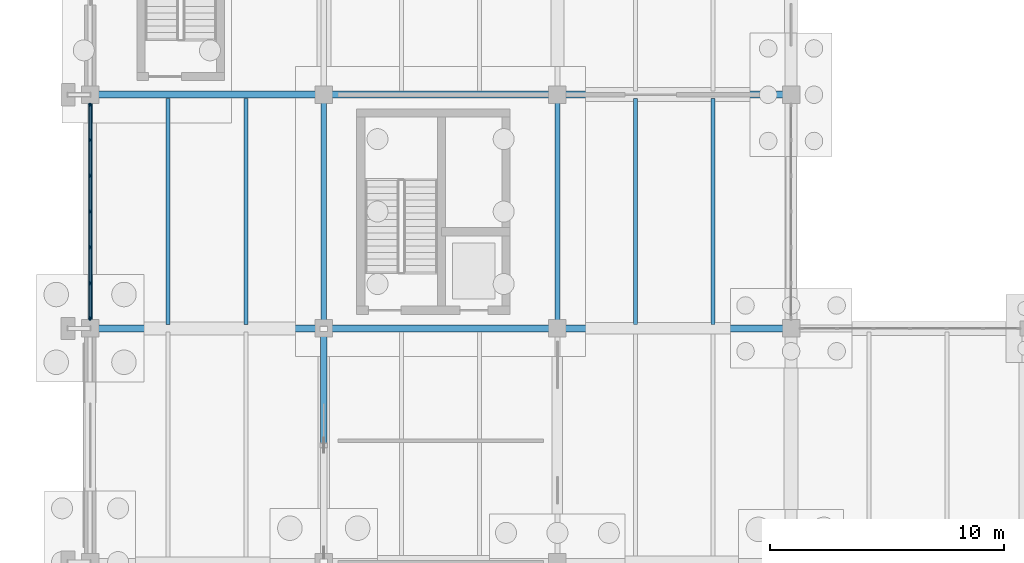
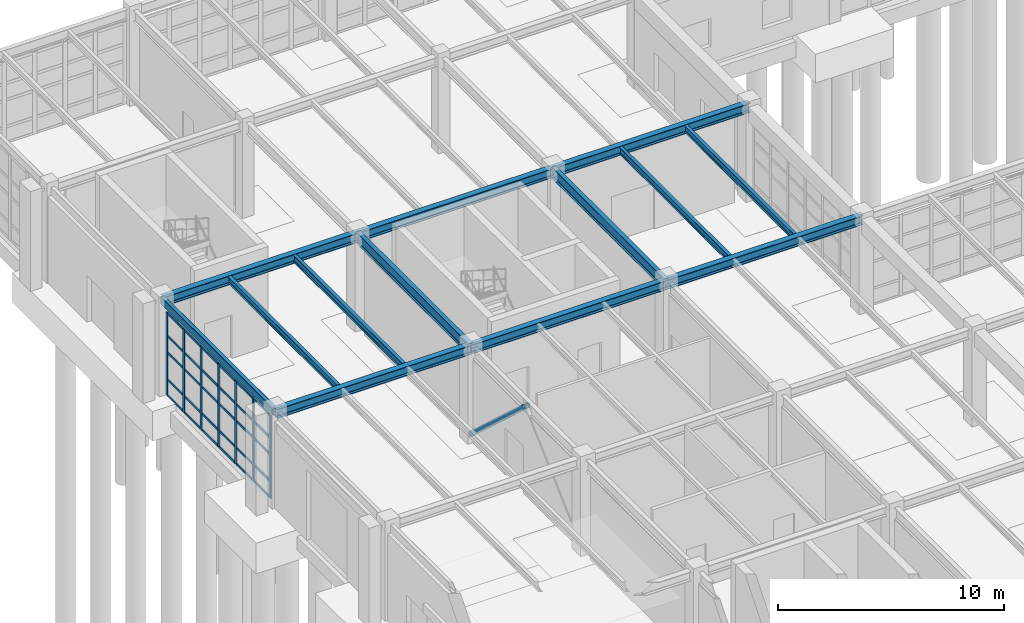
# One storey, part 37 of 145: 38 members, 13 beams, 1 element without a shape of its own.
"""IFC4 building model written with IfcOpenShell, lengths in metres."""

from ifc_helpers import new_model, si_unit, direction, frame, origin, origin_2d, place, context, subcontext, project, spatial, rectangle, hollow_rectangle, hollow_circle, i_section, extrude, material, layer, layer_set, material_profile, profile_set, type_object, element, aggregate, save


model = new_model("IFC4")

# Units and contexts
model_context = context("Model", 3, precision=1e-05, world=origin(), true_north=direction((0.0, 1.0)))
body_context = subcontext(model_context, "Body", "Model", "MODEL_VIEW")
ifc_project = project(units=[si_unit("LENGTHUNIT", "METRE"), si_unit("AREAUNIT", "SQUARE_METRE"), si_unit("VOLUMEUNIT", "CUBIC_METRE"), si_unit("PLANEANGLEUNIT", "RADIAN"), si_unit("MASSUNIT", "GRAM", prefix="KILO"), si_unit("THERMODYNAMICTEMPERATUREUNIT", "KELVIN"), si_unit("POWERUNIT", "WATT")], contexts=[model_context])

# Site, building, storey
site_placement = place(None, origin())
site = spatial("IfcSite", under=ifc_project, at=site_placement, CompositionType="ELEMENT")
building_placement = place(site_placement, origin())
building = spatial("IfcBuilding", under=site, at=building_placement, Name="Korenveer Ferry Terminal", CompositionType="ELEMENT")
storey_placement = place(building_placement, origin())
storey = spatial("IfcBuildingStorey", under=building, at=storey_placement, Name="L00", CompositionType="ELEMENT", Elevation=0.0)

# Curtain wall, members
ifc_material_1 = material(Name="Unitised bronze-and-glass curtain wall", Category="glass")
ifc_layer = layer(ifc_material_1, 0.159912109375)
ifc_layer_set = layer_set([ifc_layer], Name="Unitised bronze-and-glass curtain wall")
curtain_wall_type = type_object("IfcCurtainWallType", Name="ENV-CW-18", PredefinedType="USERDEFINED", material=ifc_layer_set)
curtain_wall_placement = place(storey_placement, frame((0.0, 50.405029296875, 0.0)))
curtain_wall = element("IfcCurtainWall", 1, at=curtain_wall_placement, inside=storey, type_object=curtain_wall_type, Name="Lancet curtain wall CWX-L00-X0-0-Y50-60", ObjectType="UNITISED CURTAIN WALL", PredefinedType="USERDEFINED")
ifc_material_2 = material(Name="Anodised bronze aluminium", Category="aluminium")
ifc_material_profile_1 = material_profile(ifc_material_2, rectangle(XDim=0.06005859375, YDim=0.159912109375, at=origin_2d()), Name="ALU 60x160")
ifc_profile_set_1 = profile_set([ifc_material_profile_1], Name="Anodised bronze aluminium")
member_type_1 = type_object("IfcMemberType", Name="ENV-CWM-60X160", PredefinedType="MULLION", material=ifc_profile_set_1)
member_1_placement = place(storey_placement, frame((0.0, 50.43505859375, 0.0), z_axis=(0.0, 0.0, 1.0), x_axis=(-1.0, 0.0, 0.0)))
member_1 = element("IfcMember", 2, at=member_1_placement, type_object=member_type_1, Name="CW-18 mullion 1", PredefinedType="MULLION", context=body_context, shape_type="SweptSolid", body=[
    extrude(rectangle(XDim=0.06005859375, YDim=0.159912109375, at=origin_2d()), origin(), (0.0, 0.0, 1.0), 4.489990234375),
])
member_2_placement = place(storey_placement, frame((0.0, 51.936767578125, 0.0), z_axis=(0.0, 0.0, 1.0), x_axis=(-1.0, 0.0, 0.0)))
member_2 = element("IfcMember", 3, at=member_2_placement, type_object=member_type_1, Name="CW-18 mullion 2", PredefinedType="MULLION", context=body_context, shape_type="SweptSolid", body=[
    extrude(rectangle(XDim=0.06005859375, YDim=0.159912109375, at=origin_2d()), origin(), (0.0, 0.0, 1.0), 4.489990234375),
])
member_3_placement = place(storey_placement, frame((0.0, 53.46826171875, 0.0), z_axis=(0.0, 0.0, 1.0), x_axis=(-1.0, 0.0, 0.0)))
member_3 = element("IfcMember", 4, at=member_3_placement, type_object=member_type_1, Name="CW-18 mullion 3", PredefinedType="MULLION", context=body_context, shape_type="SweptSolid", body=[
    extrude(rectangle(XDim=0.06005859375, YDim=0.159912109375, at=origin_2d()), origin(), (0.0, 0.0, 1.0), 4.489990234375),
])
member_4_placement = place(storey_placement, frame((0.0, 55.0, 0.0), z_axis=(0.0, 0.0, 1.0), x_axis=(-1.0, 0.0, 0.0)))
member_4 = element("IfcMember", 5, at=member_4_placement, type_object=member_type_1, Name="CW-18 mullion 4", PredefinedType="MULLION", context=body_context, shape_type="SweptSolid", body=[
    extrude(rectangle(XDim=0.06005859375, YDim=0.159912109375, at=origin_2d()), origin(), (0.0, 0.0, 1.0), 4.489990234375),
])
member_5_placement = place(storey_placement, frame((0.0, 56.53173828125, 0.0), z_axis=(0.0, 0.0, 1.0), x_axis=(-1.0, 0.0, 0.0)))
member_5 = element("IfcMember", 6, at=member_5_placement, type_object=member_type_1, Name="CW-18 mullion 5", PredefinedType="MULLION", context=body_context, shape_type="SweptSolid", body=[
    extrude(rectangle(XDim=0.06005859375, YDim=0.159912109375, at=origin_2d()), origin(), (0.0, 0.0, 1.0), 4.489990234375),
])
member_6_placement = place(storey_placement, frame((0.0, 58.063232421875, 0.0), z_axis=(0.0, 0.0, 1.0), x_axis=(-1.0, 0.0, 0.0)))
member_6 = element("IfcMember", 7, at=member_6_placement, type_object=member_type_1, Name="CW-18 mullion 6", PredefinedType="MULLION", context=body_context, shape_type="SweptSolid", body=[
    extrude(rectangle(XDim=0.06005859375, YDim=0.159912109375, at=origin_2d()), origin(), (0.0, 0.0, 1.0), 4.489990234375),
])
member_7_placement = place(storey_placement, frame((0.0, 59.56494140625, 0.0), z_axis=(0.0, 0.0, 1.0), x_axis=(-1.0, 0.0, 0.0)))
member_7 = element("IfcMember", 8, at=member_7_placement, type_object=member_type_1, Name="CW-18 mullion 7", PredefinedType="MULLION", context=body_context, shape_type="SweptSolid", body=[
    extrude(rectangle(XDim=0.06005859375, YDim=0.159912109375, at=origin_2d()), origin(), (0.0, 0.0, 1.0), 4.489990234375),
])
ifc_material_profile_2 = material_profile(ifc_material_2, rectangle(XDim=0.06005859375, YDim=0.1201171875, at=origin_2d()), Name="ALU 60x120")
ifc_profile_set_2 = profile_set([ifc_material_profile_2], Name="Anodised bronze aluminium")
member_type_2 = type_object("IfcMemberType", Name="ENV-CWT-60X120", PredefinedType="USERDEFINED", material=ifc_profile_set_2)
member_8_placement = place(storey_placement, frame((0.0, 50.465087890625, 0.030029296875), z_axis=(0.0, 1.0, 0.0), x_axis=(-1.0, 0.0, 0.0)))
member_8 = element("IfcMember", 9, at=member_8_placement, type_object=member_type_2, Name="CW-18 transom 1.1", ObjectType="TRANSOM", PredefinedType="USERDEFINED", context=body_context, shape_type="SweptSolid", body=[
    extrude(rectangle(XDim=0.06005859375, YDim=0.1201171875, at=origin_2d()), origin(), (0.0, 0.0, 1.0), 1.441650390625),
])
member_9_placement = place(storey_placement, frame((0.0, 50.465087890625, 0.89990234375), z_axis=(0.0, 1.0, 0.0), x_axis=(-1.0, 0.0, 0.0)))
member_9 = element("IfcMember", 10, at=member_9_placement, type_object=member_type_2, Name="CW-18 transom 1.2", ObjectType="TRANSOM", PredefinedType="USERDEFINED", context=body_context, shape_type="SweptSolid", body=[
    extrude(rectangle(XDim=0.06005859375, YDim=0.1201171875, at=origin_2d()), origin(), (0.0, 0.0, 1.0), 1.441650390625),
])
member_10_placement = place(storey_placement, frame((0.0, 50.465087890625, 2.35009765625), z_axis=(0.0, 1.0, 0.0), x_axis=(-1.0, 0.0, 0.0)))
member_10 = element("IfcMember", 11, at=member_10_placement, type_object=member_type_2, Name="CW-18 transom 1.3", ObjectType="TRANSOM", PredefinedType="USERDEFINED", context=body_context, shape_type="SweptSolid", body=[
    extrude(rectangle(XDim=0.06005859375, YDim=0.1201171875, at=origin_2d()), origin(), (0.0, 0.0, 1.0), 1.441650390625),
])
member_11_placement = place(storey_placement, frame((0.0, 50.465087890625, 3.25), z_axis=(0.0, 1.0, 0.0), x_axis=(-1.0, 0.0, 0.0)))
member_11 = element("IfcMember", 12, at=member_11_placement, type_object=member_type_2, Name="CW-18 transom 1.4", ObjectType="TRANSOM", PredefinedType="USERDEFINED", context=body_context, shape_type="SweptSolid", body=[
    extrude(rectangle(XDim=0.06005859375, YDim=0.1201171875, at=origin_2d()), origin(), (0.0, 0.0, 1.0), 1.441650390625),
])
member_12_placement = place(storey_placement, frame((0.0, 50.465087890625, 4.4599609375), z_axis=(0.0, 1.0, 0.0), x_axis=(-1.0, 0.0, 0.0)))
member_12 = element("IfcMember", 13, at=member_12_placement, type_object=member_type_2, Name="CW-18 transom 1.5", ObjectType="TRANSOM", PredefinedType="USERDEFINED", context=body_context, shape_type="SweptSolid", body=[
    extrude(rectangle(XDim=0.06005859375, YDim=0.1201171875, at=origin_2d()), origin(), (0.0, 0.0, 1.0), 1.441650390625),
])
member_13_placement = place(storey_placement, frame((0.0, 51.966552734375, 0.030029296875), z_axis=(0.0, 1.0, 0.0), x_axis=(-1.0, 0.0, 0.0)))
member_13 = element("IfcMember", 14, at=member_13_placement, type_object=member_type_2, Name="CW-18 transom 2.1", ObjectType="TRANSOM", PredefinedType="USERDEFINED", context=body_context, shape_type="SweptSolid", body=[
    extrude(rectangle(XDim=0.06005859375, YDim=0.1201171875, at=origin_2d()), origin(), (0.0, 0.0, 1.0), 1.4716796875),
])
member_14_placement = place(storey_placement, frame((0.0, 51.966552734375, 0.89990234375), z_axis=(0.0, 1.0, 0.0), x_axis=(-1.0, 0.0, 0.0)))
member_14 = element("IfcMember", 15, at=member_14_placement, type_object=member_type_2, Name="CW-18 transom 2.2", ObjectType="TRANSOM", PredefinedType="USERDEFINED", context=body_context, shape_type="SweptSolid", body=[
    extrude(rectangle(XDim=0.06005859375, YDim=0.1201171875, at=origin_2d()), origin(), (0.0, 0.0, 1.0), 1.4716796875),
])
member_15_placement = place(storey_placement, frame((0.0, 51.966552734375, 2.35009765625), z_axis=(0.0, 1.0, 0.0), x_axis=(-1.0, 0.0, 0.0)))
member_15 = element("IfcMember", 16, at=member_15_placement, type_object=member_type_2, Name="CW-18 transom 2.3", ObjectType="TRANSOM", PredefinedType="USERDEFINED", context=body_context, shape_type="SweptSolid", body=[
    extrude(rectangle(XDim=0.06005859375, YDim=0.1201171875, at=origin_2d()), origin(), (0.0, 0.0, 1.0), 1.4716796875),
])
member_16_placement = place(storey_placement, frame((0.0, 51.966552734375, 3.25), z_axis=(0.0, 1.0, 0.0), x_axis=(-1.0, 0.0, 0.0)))
member_16 = element("IfcMember", 17, at=member_16_placement, type_object=member_type_2, Name="CW-18 transom 2.4", ObjectType="TRANSOM", PredefinedType="USERDEFINED", context=body_context, shape_type="SweptSolid", body=[
    extrude(rectangle(XDim=0.06005859375, YDim=0.1201171875, at=origin_2d()), origin(), (0.0, 0.0, 1.0), 1.4716796875),
])
member_17_placement = place(storey_placement, frame((0.0, 51.966552734375, 4.4599609375), z_axis=(0.0, 1.0, 0.0), x_axis=(-1.0, 0.0, 0.0)))
member_17 = element("IfcMember", 18, at=member_17_placement, type_object=member_type_2, Name="CW-18 transom 2.5", ObjectType="TRANSOM", PredefinedType="USERDEFINED", context=body_context, shape_type="SweptSolid", body=[
    extrude(rectangle(XDim=0.06005859375, YDim=0.1201171875, at=origin_2d()), origin(), (0.0, 0.0, 1.0), 1.4716796875),
])
member_18_placement = place(storey_placement, frame((0.0, 53.498291015625, 0.030029296875), z_axis=(0.0, 1.0, 0.0), x_axis=(-1.0, 0.0, 0.0)))
member_18 = element("IfcMember", 19, at=member_18_placement, type_object=member_type_2, Name="CW-18 transom 3.1", ObjectType="TRANSOM", PredefinedType="USERDEFINED", context=body_context, shape_type="SweptSolid", body=[
    extrude(rectangle(XDim=0.06005859375, YDim=0.1201171875, at=origin_2d()), origin(), (0.0, 0.0, 1.0), 1.4716796875),
])
member_19_placement = place(storey_placement, frame((0.0, 53.498291015625, 0.89990234375), z_axis=(0.0, 1.0, 0.0), x_axis=(-1.0, 0.0, 0.0)))
member_19 = element("IfcMember", 20, at=member_19_placement, type_object=member_type_2, Name="CW-18 transom 3.2", ObjectType="TRANSOM", PredefinedType="USERDEFINED", context=body_context, shape_type="SweptSolid", body=[
    extrude(rectangle(XDim=0.06005859375, YDim=0.1201171875, at=origin_2d()), origin(), (0.0, 0.0, 1.0), 1.4716796875),
])
member_20_placement = place(storey_placement, frame((0.0, 53.498291015625, 2.35009765625), z_axis=(0.0, 1.0, 0.0), x_axis=(-1.0, 0.0, 0.0)))
member_20 = element("IfcMember", 21, at=member_20_placement, type_object=member_type_2, Name="CW-18 transom 3.3", ObjectType="TRANSOM", PredefinedType="USERDEFINED", context=body_context, shape_type="SweptSolid", body=[
    extrude(rectangle(XDim=0.06005859375, YDim=0.1201171875, at=origin_2d()), origin(), (0.0, 0.0, 1.0), 1.4716796875),
])
member_21_placement = place(storey_placement, frame((0.0, 53.498291015625, 3.25), z_axis=(0.0, 1.0, 0.0), x_axis=(-1.0, 0.0, 0.0)))
member_21 = element("IfcMember", 22, at=member_21_placement, type_object=member_type_2, Name="CW-18 transom 3.4", ObjectType="TRANSOM", PredefinedType="USERDEFINED", context=body_context, shape_type="SweptSolid", body=[
    extrude(rectangle(XDim=0.06005859375, YDim=0.1201171875, at=origin_2d()), origin(), (0.0, 0.0, 1.0), 1.4716796875),
])
member_22_placement = place(storey_placement, frame((0.0, 53.498291015625, 4.4599609375), z_axis=(0.0, 1.0, 0.0), x_axis=(-1.0, 0.0, 0.0)))
member_22 = element("IfcMember", 23, at=member_22_placement, type_object=member_type_2, Name="CW-18 transom 3.5", ObjectType="TRANSOM", PredefinedType="USERDEFINED", context=body_context, shape_type="SweptSolid", body=[
    extrude(rectangle(XDim=0.06005859375, YDim=0.1201171875, at=origin_2d()), origin(), (0.0, 0.0, 1.0), 1.4716796875),
])
member_23_placement = place(storey_placement, frame((0.0, 55.030029296875, 0.030029296875), z_axis=(0.0, 1.0, 0.0), x_axis=(-1.0, 0.0, 0.0)))
member_23 = element("IfcMember", 24, at=member_23_placement, type_object=member_type_2, Name="CW-18 transom 4.1", ObjectType="TRANSOM", PredefinedType="USERDEFINED", context=body_context, shape_type="SweptSolid", body=[
    extrude(rectangle(XDim=0.06005859375, YDim=0.1201171875, at=origin_2d()), origin(), (0.0, 0.0, 1.0), 1.4716796875),
])
member_24_placement = place(storey_placement, frame((0.0, 55.030029296875, 0.89990234375), z_axis=(0.0, 1.0, 0.0), x_axis=(-1.0, 0.0, 0.0)))
member_24 = element("IfcMember", 25, at=member_24_placement, type_object=member_type_2, Name="CW-18 transom 4.2", ObjectType="TRANSOM", PredefinedType="USERDEFINED", context=body_context, shape_type="SweptSolid", body=[
    extrude(rectangle(XDim=0.06005859375, YDim=0.1201171875, at=origin_2d()), origin(), (0.0, 0.0, 1.0), 1.4716796875),
])
member_25_placement = place(storey_placement, frame((0.0, 55.030029296875, 2.35009765625), z_axis=(0.0, 1.0, 0.0), x_axis=(-1.0, 0.0, 0.0)))
member_25 = element("IfcMember", 26, at=member_25_placement, type_object=member_type_2, Name="CW-18 transom 4.3", ObjectType="TRANSOM", PredefinedType="USERDEFINED", context=body_context, shape_type="SweptSolid", body=[
    extrude(rectangle(XDim=0.06005859375, YDim=0.1201171875, at=origin_2d()), origin(), (0.0, 0.0, 1.0), 1.4716796875),
])
member_26_placement = place(storey_placement, frame((0.0, 55.030029296875, 3.25), z_axis=(0.0, 1.0, 0.0), x_axis=(-1.0, 0.0, 0.0)))
member_26 = element("IfcMember", 27, at=member_26_placement, type_object=member_type_2, Name="CW-18 transom 4.4", ObjectType="TRANSOM", PredefinedType="USERDEFINED", context=body_context, shape_type="SweptSolid", body=[
    extrude(rectangle(XDim=0.06005859375, YDim=0.1201171875, at=origin_2d()), origin(), (0.0, 0.0, 1.0), 1.4716796875),
])
member_27_placement = place(storey_placement, frame((0.0, 55.030029296875, 4.4599609375), z_axis=(0.0, 1.0, 0.0), x_axis=(-1.0, 0.0, 0.0)))
member_27 = element("IfcMember", 28, at=member_27_placement, type_object=member_type_2, Name="CW-18 transom 4.5", ObjectType="TRANSOM", PredefinedType="USERDEFINED", context=body_context, shape_type="SweptSolid", body=[
    extrude(rectangle(XDim=0.06005859375, YDim=0.1201171875, at=origin_2d()), origin(), (0.0, 0.0, 1.0), 1.4716796875),
])
member_28_placement = place(storey_placement, frame((0.0, 56.561767578125, 0.030029296875), z_axis=(0.0, 1.0, 0.0), x_axis=(-1.0, 0.0, 0.0)))
member_28 = element("IfcMember", 29, at=member_28_placement, type_object=member_type_2, Name="CW-18 transom 5.1", ObjectType="TRANSOM", PredefinedType="USERDEFINED", context=body_context, shape_type="SweptSolid", body=[
    extrude(rectangle(XDim=0.06005859375, YDim=0.1201171875, at=origin_2d()), origin(), (0.0, 0.0, 1.0), 1.4716796875),
])
member_29_placement = place(storey_placement, frame((0.0, 56.561767578125, 0.89990234375), z_axis=(0.0, 1.0, 0.0), x_axis=(-1.0, 0.0, 0.0)))
member_29 = element("IfcMember", 30, at=member_29_placement, type_object=member_type_2, Name="CW-18 transom 5.2", ObjectType="TRANSOM", PredefinedType="USERDEFINED", context=body_context, shape_type="SweptSolid", body=[
    extrude(rectangle(XDim=0.06005859375, YDim=0.1201171875, at=origin_2d()), origin(), (0.0, 0.0, 1.0), 1.4716796875),
])
member_30_placement = place(storey_placement, frame((0.0, 56.561767578125, 2.35009765625), z_axis=(0.0, 1.0, 0.0), x_axis=(-1.0, 0.0, 0.0)))
member_30 = element("IfcMember", 31, at=member_30_placement, type_object=member_type_2, Name="CW-18 transom 5.3", ObjectType="TRANSOM", PredefinedType="USERDEFINED", context=body_context, shape_type="SweptSolid", body=[
    extrude(rectangle(XDim=0.06005859375, YDim=0.1201171875, at=origin_2d()), origin(), (0.0, 0.0, 1.0), 1.4716796875),
])
member_31_placement = place(storey_placement, frame((0.0, 56.561767578125, 3.25), z_axis=(0.0, 1.0, 0.0), x_axis=(-1.0, 0.0, 0.0)))
member_31 = element("IfcMember", 32, at=member_31_placement, type_object=member_type_2, Name="CW-18 transom 5.4", ObjectType="TRANSOM", PredefinedType="USERDEFINED", context=body_context, shape_type="SweptSolid", body=[
    extrude(rectangle(XDim=0.06005859375, YDim=0.1201171875, at=origin_2d()), origin(), (0.0, 0.0, 1.0), 1.4716796875),
])
member_32_placement = place(storey_placement, frame((0.0, 56.561767578125, 4.4599609375), z_axis=(0.0, 1.0, 0.0), x_axis=(-1.0, 0.0, 0.0)))
member_32 = element("IfcMember", 33, at=member_32_placement, type_object=member_type_2, Name="CW-18 transom 5.5", ObjectType="TRANSOM", PredefinedType="USERDEFINED", context=body_context, shape_type="SweptSolid", body=[
    extrude(rectangle(XDim=0.06005859375, YDim=0.1201171875, at=origin_2d()), origin(), (0.0, 0.0, 1.0), 1.4716796875),
])
member_33_placement = place(storey_placement, frame((0.0, 58.09326171875, 0.030029296875), z_axis=(0.0, 1.0, 0.0), x_axis=(-1.0, 0.0, 0.0)))
member_33 = element("IfcMember", 34, at=member_33_placement, type_object=member_type_2, Name="CW-18 transom 6.1", ObjectType="TRANSOM", PredefinedType="USERDEFINED", context=body_context, shape_type="SweptSolid", body=[
    extrude(rectangle(XDim=0.06005859375, YDim=0.1201171875, at=origin_2d()), origin(), (0.0, 0.0, 1.0), 1.441650390625),
])
member_34_placement = place(storey_placement, frame((0.0, 58.09326171875, 0.89990234375), z_axis=(0.0, 1.0, 0.0), x_axis=(-1.0, 0.0, 0.0)))
member_34 = element("IfcMember", 35, at=member_34_placement, type_object=member_type_2, Name="CW-18 transom 6.2", ObjectType="TRANSOM", PredefinedType="USERDEFINED", context=body_context, shape_type="SweptSolid", body=[
    extrude(rectangle(XDim=0.06005859375, YDim=0.1201171875, at=origin_2d()), origin(), (0.0, 0.0, 1.0), 1.441650390625),
])
member_35_placement = place(storey_placement, frame((0.0, 58.09326171875, 2.35009765625), z_axis=(0.0, 1.0, 0.0), x_axis=(-1.0, 0.0, 0.0)))
member_35 = element("IfcMember", 36, at=member_35_placement, type_object=member_type_2, Name="CW-18 transom 6.3", ObjectType="TRANSOM", PredefinedType="USERDEFINED", context=body_context, shape_type="SweptSolid", body=[
    extrude(rectangle(XDim=0.06005859375, YDim=0.1201171875, at=origin_2d()), origin(), (0.0, 0.0, 1.0), 1.441650390625),
])
member_36_placement = place(storey_placement, frame((0.0, 58.09326171875, 3.25), z_axis=(0.0, 1.0, 0.0), x_axis=(-1.0, 0.0, 0.0)))
member_36 = element("IfcMember", 37, at=member_36_placement, type_object=member_type_2, Name="CW-18 transom 6.4", ObjectType="TRANSOM", PredefinedType="USERDEFINED", context=body_context, shape_type="SweptSolid", body=[
    extrude(rectangle(XDim=0.06005859375, YDim=0.1201171875, at=origin_2d()), origin(), (0.0, 0.0, 1.0), 1.441650390625),
])
member_37_placement = place(storey_placement, frame((0.0, 58.09326171875, 4.4599609375), z_axis=(0.0, 1.0, 0.0), x_axis=(-1.0, 0.0, 0.0)))
member_37 = element("IfcMember", 38, at=member_37_placement, type_object=member_type_2, Name="CW-18 transom 6.5", ObjectType="TRANSOM", PredefinedType="USERDEFINED", context=body_context, shape_type="SweptSolid", body=[
    extrude(rectangle(XDim=0.06005859375, YDim=0.1201171875, at=origin_2d()), origin(), (0.0, 0.0, 1.0), 1.441650390625),
])
aggregate(curtain_wall, [member_1, member_2, member_3, member_4, member_5, member_6, member_7, member_8, member_9, member_10, member_11, member_12, member_13, member_14, member_15, member_16, member_17, member_18, member_19, member_20, member_21, member_22, member_23, member_24, member_25, member_26, member_27, member_28, member_29, member_30, member_31, member_32, member_33, member_34, member_35, member_36, member_37])

# Beams
ifc_material_3 = material(Name="Steel S355", Category="steel")
ifc_material_profile_3 = material_profile(ifc_material_3, i_section(OverallWidth=0.300048828125, OverallDepth=0.5, WebThickness=0.014404296875, FlangeThickness=0.028076171875, FilletRadius=0.027099609375, at=origin_2d()), Name="HEB 500")
ifc_profile_set_3 = profile_set([ifc_material_profile_3], Name="Steel S355")
beam_type_1 = type_object("IfcBeamType", Name="STR-BM-HEB500", PredefinedType="BEAM", material=ifc_profile_set_3)
for number, where, z_axis, x_axis, name in (
    (39, (0.02001953125, 50.0, 4.8701171875), (1.0, 0.0, 0.0), (0.0, 1.0, 0.0), "Primary X girder BMX-L01-X0-10-Y50"),
    (40, (10.02001953125, 50.0, 4.8701171875), (1.0, 0.0, 0.0), (0.0, 1.0, 0.0), "Primary X girder BMX-L01-X10-20-Y50"),
    (41, (20.02001953125, 50.0, 4.8701171875), (1.0, 0.0, 0.0), (0.0, 1.0, 0.0), "Primary X girder BMX-L01-X20-30-Y50"),
    (42, (0.02001953125, 60.0, 4.8701171875), (1.0, 0.0, 0.0), (0.0, 1.0, 0.0), "Primary X girder BMX-L01-X0-10-Y60"),
    (43, (10.02001953125, 60.0, 4.8701171875), (1.0, 0.0, 0.0), (0.0, 1.0, 0.0), "Primary X girder BMX-L01-X10-20-Y60"),
    (44, (20.02001953125, 60.0, 4.8701171875), (1.0, 0.0, 0.0), (0.0, 1.0, 0.0), "Primary X girder BMX-L01-X20-30-Y60"),
):
    element("IfcBeam", number, at=place(storey_placement, frame(where, z_axis=z_axis, x_axis=x_axis)), inside=storey, type_object=beam_type_1, Name=name, PredefinedType="BEAM", context=body_context, shape_type="SweptSolid", body=[
        extrude(i_section(OverallWidth=0.300048828125, OverallDepth=0.5, WebThickness=0.014404296875, FlangeThickness=0.028076171875, FilletRadius=0.027099609375, at=origin_2d()), origin(), (0.0, 0.0, 1.0), 9.9599609375),
    ])
ifc_material_profile_4 = material_profile(ifc_material_3, i_section(OverallWidth=0.219970703125, OverallDepth=0.60009765625, WebThickness=0.011962890625, FlangeThickness=0.01904296875, FilletRadius=0.02392578125, at=origin_2d()), Name="IPE 600")
ifc_profile_set_4 = profile_set([ifc_material_profile_4], Name="Steel S355")
beam_type_2 = type_object("IfcBeamType", Name="STR-BM-IPE600", PredefinedType="BEAM", material=ifc_profile_set_4)
for number, where, z_axis, x_axis, name in (
    (45, (10.0, 50.02001953125, 4.820068359375), (0.0, 1.0, 0.0), (-1.0, 0.0, 0.0), "Primary Y girder BMY-L01-X10-Y50-60"),
    (46, (20.0, 50.02001953125, 4.820068359375), (0.0, 1.0, 0.0), (-1.0, 0.0, 0.0), "Primary Y girder BMY-L01-X20-Y50-60"),
):
    element("IfcBeam", number, at=place(storey_placement, frame(where, z_axis=z_axis, x_axis=x_axis)), inside=storey, type_object=beam_type_2, Name=name, PredefinedType="BEAM", context=body_context, shape_type="SweptSolid", body=[
        extrude(i_section(OverallWidth=0.219970703125, OverallDepth=0.60009765625, WebThickness=0.011962890625, FlangeThickness=0.01904296875, FilletRadius=0.02392578125, at=origin_2d()), origin(), (0.0, 0.0, 1.0), 9.9599609375),
    ])

# Member
ifc_material_profile_5 = material_profile(ifc_material_3, hollow_circle(Radius=0.136474609375, WallThickness=0.012451171875, at=origin_2d()), Name="CHS 273x12.5")
ifc_profile_set_5 = profile_set([ifc_material_profile_5], Name="Steel S355")
member_type_3 = type_object("IfcMemberType", Name="STR-BRC-CHS273", PredefinedType="BRACE", material=ifc_profile_set_5)
member_38_placement = place(storey_placement, frame((10.0, 45.0, 4.800048828125), z_axis=(0.0, 0.737517234489, -0.675328311883), x_axis=(-1.0, 0.0, 0.0)))
element("IfcMember", 47, at=member_38_placement, inside=storey, type_object=member_type_3, Name="Lateral stability chevron brace BRCVF-L00-X10-450", PredefinedType="BRACE", context=body_context, shape_type="SweptSolid", body=[
    extrude(hollow_circle(Radius=0.136474609375, WallThickness=0.012451171875, at=origin_2d()), origin(), (0.0, 0.0, 1.0), 6.75244140625),
])

# Beams
ifc_material_profile_6 = material_profile(ifc_material_3, i_section(OverallWidth=0.169921875, OverallDepth=0.360107421875, WebThickness=0.008056640625, FlangeThickness=0.0126953125, FilletRadius=0.01806640625, at=origin_2d()), Name="IPE 360")
ifc_profile_set_6 = profile_set([ifc_material_profile_6], Name="Steel S355")
beam_type_3 = type_object("IfcBeamType", Name="STR-JST-IPE360", PredefinedType="JOIST", material=ifc_profile_set_6)
for number, where, z_axis, x_axis, name in (
    (48, (3.333251953125, 50.159912109375, 4.93994140625), (0.0, 1.0, 0.0), (-1.0, 0.0, 0.0), "Secondary composite joist JST-L01-X33-Y50-60"),
    (49, (6.666748046875, 50.159912109375, 4.93994140625), (0.0, 1.0, 0.0), (-1.0, 0.0, 0.0), "Secondary composite joist JST-L01-X67-Y50-60"),
    (50, (23.333251953125, 50.159912109375, 4.93994140625), (0.0, 1.0, 0.0), (-1.0, 0.0, 0.0), "Secondary composite joist JST-L01-X233-Y50-60"),
    (51, (26.666748046875, 50.159912109375, 4.93994140625), (0.0, 1.0, 0.0), (-1.0, 0.0, 0.0), "Secondary composite joist JST-L01-X267-Y50-60"),
):
    element("IfcBeam", number, at=place(storey_placement, frame(where, z_axis=z_axis, x_axis=x_axis)), inside=storey, type_object=beam_type_3, Name=name, PredefinedType="JOIST", context=body_context, shape_type="SweptSolid", body=[
        extrude(i_section(OverallWidth=0.169921875, OverallDepth=0.360107421875, WebThickness=0.008056640625, FlangeThickness=0.0126953125, FilletRadius=0.01806640625, at=origin_2d()), origin(), (0.0, 0.0, 1.0), 9.68017578125),
    ])
ifc_material_profile_7 = material_profile(ifc_material_3, hollow_rectangle(XDim=0.199951171875, YDim=0.39990234375, WallThickness=0.01611328125, InnerFilletRadius=0.01611328125, OuterFilletRadius=0.02392578125, at=origin_2d()), Name="RHS 400x200x16")
ifc_profile_set_7 = profile_set([ifc_material_profile_7], Name="Steel S355")
beam_type_4 = type_object("IfcBeamType", Name="STR-SPD-RHS400", PredefinedType="SPANDREL", material=ifc_profile_set_7)
beam_placement = place(storey_placement, frame((0.0, 50.02001953125, 4.919921875), z_axis=(0.0, 1.0, 0.0), x_axis=(-1.0, 0.0, 0.0)))
element("IfcBeam", 52, at=beam_placement, inside=storey, type_object=beam_type_4, Name="Primary Y girder BMY-L01-X0-Y50-60", PredefinedType="SPANDREL", context=body_context, shape_type="SweptSolid", body=[
    extrude(hollow_rectangle(XDim=0.199951171875, YDim=0.39990234375, WallThickness=0.01611328125, InnerFilletRadius=0.01611328125, OuterFilletRadius=0.02392578125, at=origin_2d()), origin(), (0.0, 0.0, 1.0), 9.9599609375),
])

save(model, "model.ifc")
